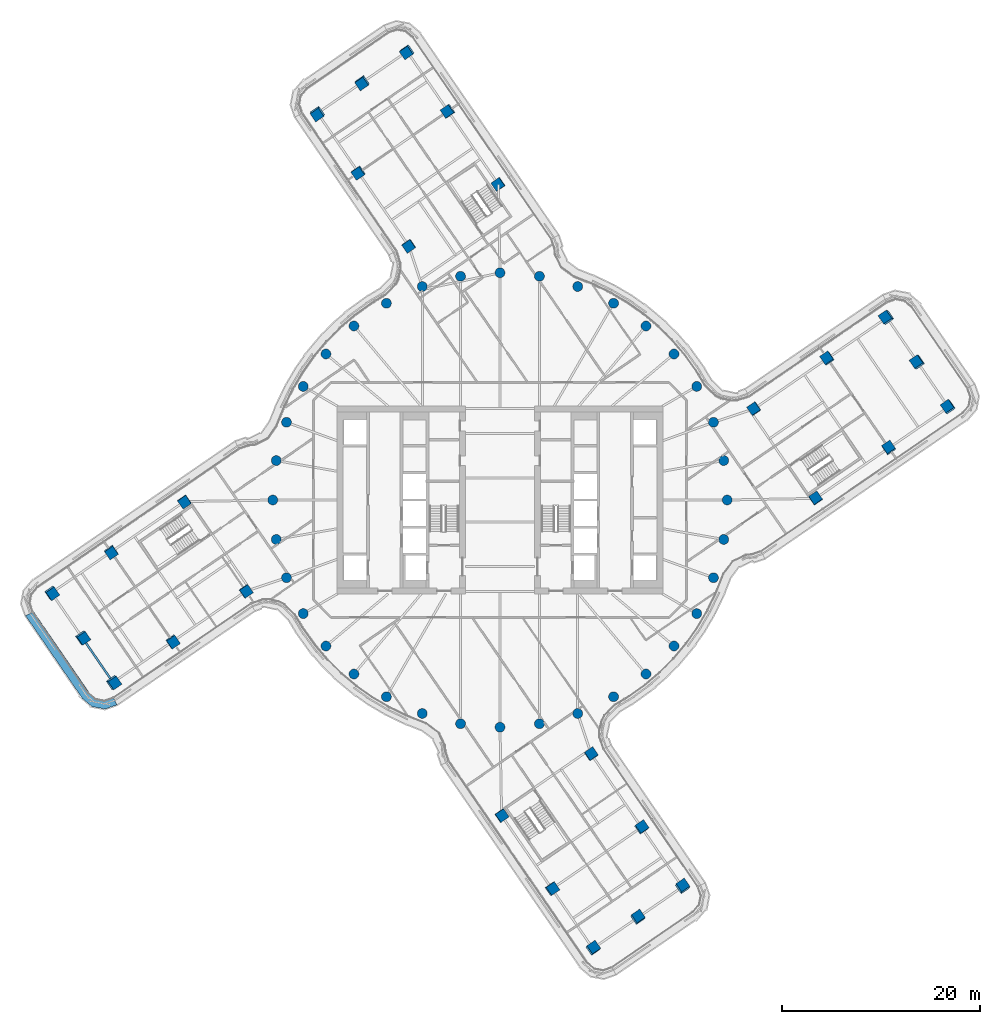
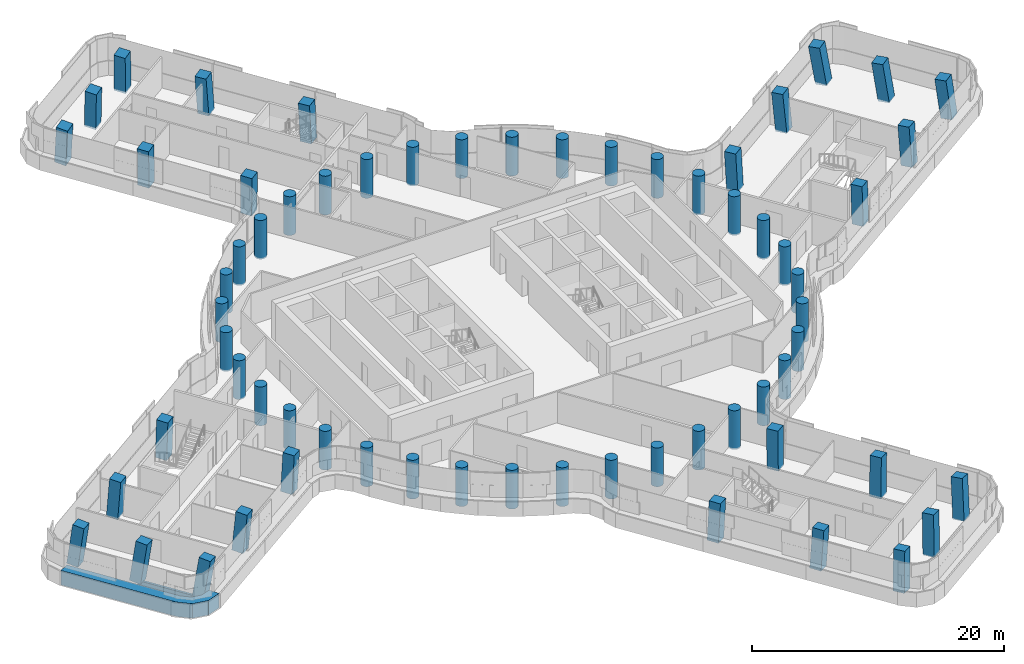
# One storey, part 1 of 33: 64 columns, 1 beam, 1 member, 1 element without a shape of its own.
"""IFC4 building model written with IfcOpenShell, lengths in metres."""

from ifc_helpers import new_model, si_unit, direction, frame, origin, origin_2d, place, context, subcontext, project, spatial, polyline, rectangle, circle, i_section, outline, extrude, material, layer, layer_set, material_profile, profile_set, type_object, element, aggregate, save


model = new_model("IFC4")

# Units and contexts
model_context = context("Model", 3, precision=1e-05, world=origin(), true_north=direction((0.0, 1.0)))
body_context = subcontext(model_context, "Body", "Model", "MODEL_VIEW")
ifc_project = project(units=[si_unit("LENGTHUNIT", "METRE"), si_unit("AREAUNIT", "SQUARE_METRE"), si_unit("VOLUMEUNIT", "CUBIC_METRE"), si_unit("PLANEANGLEUNIT", "RADIAN"), si_unit("MASSUNIT", "GRAM", prefix="KILO")], contexts=[model_context])

# Site, building, storey
site_placement = place(None, origin())
site = spatial("IfcSite", under=ifc_project, at=site_placement, CompositionType="ELEMENT")
building_placement = place(site_placement, origin())
building = spatial("IfcBuilding", under=site, at=building_placement, Name="Tamarind Cross Interchange Tower", CompositionType="ELEMENT")
storey_placement = place(building_placement, frame((0.0, 0.0, 159.25)))
storey = spatial("IfcBuildingStorey", under=building, at=storey_placement, Name="L39", CompositionType="ELEMENT", Elevation=159.25)

# Columns
ifc_material_1 = material(Name="Concrete C60", Category="concrete")
ifc_material_profile_1 = material_profile(ifc_material_1, rectangle(XDim=1.0, YDim=1.0, at=origin_2d()), Name="RC 1000x1000")
ifc_profile_set_1 = profile_set([ifc_material_profile_1], Name="Concrete C60")
column_type_1 = type_object("IfcColumnType", Name="Column RC 1000x1000 Concrete C60", PredefinedType="COLUMN", material=ifc_profile_set_1)
for number, where, z_axis, x_axis, name in (
    (1, (33.1474609375, 14.327392578125, -0.138427734375), (-0.069904708253, 0.05335345421, 0.996125865886), (0.563323814814, -0.822000079899, 0.083559250292), "Column L39-036"),
    (2, (39.37451171875, 5.259765625, -0.138427734375), (-0.026222409224, 0.083924690908, 0.996127015752), (-0.824806458634, -0.564822823798, 0.02587437948), "Column L39-037"),
):
    element("IfcColumn", number, at=place(storey_placement, frame(where, z_axis=z_axis, x_axis=x_axis)), inside=storey, type_object=column_type_1, Name=name, PredefinedType="COLUMN", context=body_context, shape_type="SweptSolid", body=[
        extrude(rectangle(XDim=1.0, YDim=1.0, at=origin_2d()), origin(), (0.0, 0.0, 1.0), 3.761474609375),
    ])
for number, where, z_axis, x_axis, name in (
    (3, (25.728515625, 9.232421875, -0.138671875), (-0.045031564951, 0.017700268305, 0.998828743409), (0.565346981638, -0.82387846187, 0.040088282815), "Column L39-038"),
    (4, (31.95556640625, 0.164794921875, -0.138671875), (-0.001236416947, 0.048350410099, 0.998829669722), (-0.824410110548, -0.565379307038, 0.026347842402), "Column L39-039"),
):
    element("IfcColumn", number, at=place(storey_placement, frame(where, z_axis=z_axis, x_axis=x_axis)), inside=storey, type_object=column_type_1, Name=name, PredefinedType="COLUMN", context=body_context, shape_type="SweptSolid", body=[
        extrude(rectangle(XDim=1.0, YDim=1.0, at=origin_2d()), origin(), (0.0, 0.0, 1.0), 3.751708984375),
    ])
column_1_placement = place(storey_placement, frame((45.405517578125, 9.401611328125, -0.136474609375), z_axis=(-0.104964913326, 0.070688016183, 0.991960468637), x_axis=(0.559867072052, -0.820181701315, 0.117689585179)))
element("IfcColumn", 5, at=column_1_placement, inside=storey, type_object=column_type_1, Name="Column L39-040", PredefinedType="COLUMN", context=body_context, shape_type="SweptSolid", body=[
    extrude(rectangle(XDim=1.0, YDim=1.0, at=origin_2d()), origin(), (0.0, 0.0, 1.0), 3.77490234375),
])
column_2_placement = place(storey_placement, frame((42.291748046875, 13.935302734375, -0.136474609375), z_axis=(-0.126442765759, 0.055407504097, 0.990425280108), x_axis=(0.558333982979, -0.821292490373, 0.117225461004)))
element("IfcColumn", 6, at=column_2_placement, inside=storey, type_object=column_type_1, Name="Column L39-041", PredefinedType="COLUMN", context=body_context, shape_type="SweptSolid", body=[
    extrude(rectangle(XDim=1.0, YDim=1.0, at=origin_2d()), origin(), (0.0, 0.0, 1.0), 3.780517578125),
])
column_3_placement = place(storey_placement, frame((39.17822265625, 18.46923828125, -0.13623046875), z_axis=(-0.147880954523, 0.040079282664, 0.988192731399), x_axis=(0.557477710544, -0.821939960691, 0.116761737171)))
element("IfcColumn", 7, at=column_3_placement, inside=storey, type_object=column_type_1, Name="Column L39-042", PredefinedType="COLUMN", context=body_context, shape_type="SweptSolid", body=[
    extrude(rectangle(XDim=1.0, YDim=1.0, at=origin_2d()), origin(), (0.0, 0.0, 1.0), 3.788818359375),
])
for number, where, z_axis, x_axis, name in (
    (8, (-14.327392578125, 33.1474609375, -0.138427734375), (-0.05335345421, -0.069904708253, 0.996125865886), (0.822000079899, 0.563323814814, 0.083559250292), "Column L39-043"),
    (9, (-5.259765625, 39.37451171875, -0.138427734375), (-0.083924690908, -0.026222409224, 0.996127015752), (0.564822823798, -0.824806458634, 0.02587437948), "Column L39-044"),
):
    element("IfcColumn", number, at=place(storey_placement, frame(where, z_axis=z_axis, x_axis=x_axis)), inside=storey, type_object=column_type_1, Name=name, PredefinedType="COLUMN", context=body_context, shape_type="SweptSolid", body=[
        extrude(rectangle(XDim=1.0, YDim=1.0, at=origin_2d()), origin(), (0.0, 0.0, 1.0), 3.761474609375),
    ])
for number, where, z_axis, x_axis, name in (
    (10, (-9.232421875, 25.728515625, -0.138671875), (-0.017700268305, -0.045031564951, 0.998828743409), (0.82387846187, 0.565346981638, 0.040088282815), "Column L39-045"),
    (11, (-0.164794921875, 31.95556640625, -0.138671875), (-0.048350410099, -0.001236416947, 0.998829669722), (0.565379307038, -0.824410110548, 0.026347842402), "Column L39-046"),
):
    element("IfcColumn", number, at=place(storey_placement, frame(where, z_axis=z_axis, x_axis=x_axis)), inside=storey, type_object=column_type_1, Name=name, PredefinedType="COLUMN", context=body_context, shape_type="SweptSolid", body=[
        extrude(rectangle(XDim=1.0, YDim=1.0, at=origin_2d()), origin(), (0.0, 0.0, 1.0), 3.751708984375),
    ])
column_4_placement = place(storey_placement, frame((-9.401611328125, 45.405517578125, -0.136474609375), z_axis=(-0.070688016183, -0.104964913326, 0.991960468637), x_axis=(0.820181701315, 0.559867072052, 0.117689585179)))
element("IfcColumn", 12, at=column_4_placement, inside=storey, type_object=column_type_1, Name="Column L39-047", PredefinedType="COLUMN", context=body_context, shape_type="SweptSolid", body=[
    extrude(rectangle(XDim=1.0, YDim=1.0, at=origin_2d()), origin(), (0.0, 0.0, 1.0), 3.77490234375),
])
column_5_placement = place(storey_placement, frame((-13.935302734375, 42.291748046875, -0.136474609375), z_axis=(-0.055407504097, -0.126442765759, 0.990425280108), x_axis=(0.821292490373, 0.558333982979, 0.117225461004)))
element("IfcColumn", 13, at=column_5_placement, inside=storey, type_object=column_type_1, Name="Column L39-048", PredefinedType="COLUMN", context=body_context, shape_type="SweptSolid", body=[
    extrude(rectangle(XDim=1.0, YDim=1.0, at=origin_2d()), origin(), (0.0, 0.0, 1.0), 3.780517578125),
])
column_6_placement = place(storey_placement, frame((-18.46923828125, 39.17822265625, -0.13623046875), z_axis=(-0.040079282664, -0.147880954523, 0.988192731399), x_axis=(0.821939960691, 0.557477710544, 0.116761737171)))
element("IfcColumn", 14, at=column_6_placement, inside=storey, type_object=column_type_1, Name="Column L39-049", PredefinedType="COLUMN", context=body_context, shape_type="SweptSolid", body=[
    extrude(rectangle(XDim=1.0, YDim=1.0, at=origin_2d()), origin(), (0.0, 0.0, 1.0), 3.788818359375),
])
for number, where, z_axis, x_axis, name in (
    (15, (-33.1474609375, -14.327392578125, -0.138427734375), (0.069904708253, -0.05335345421, 0.996125865886), (-0.563323814814, 0.822000079899, 0.083559250292), "Column L39-050"),
    (16, (-39.37451171875, -5.259765625, -0.138427734375), (0.026222409224, -0.083924690908, 0.996127015752), (0.824806458634, 0.564822823798, 0.02587437948), "Column L39-051"),
):
    element("IfcColumn", number, at=place(storey_placement, frame(where, z_axis=z_axis, x_axis=x_axis)), inside=storey, type_object=column_type_1, Name=name, PredefinedType="COLUMN", context=body_context, shape_type="SweptSolid", body=[
        extrude(rectangle(XDim=1.0, YDim=1.0, at=origin_2d()), origin(), (0.0, 0.0, 1.0), 3.761474609375),
    ])
for number, where, z_axis, x_axis, name in (
    (17, (-25.728515625, -9.232421875, -0.138671875), (0.045031564951, -0.017700268305, 0.998828743409), (-0.565346981638, 0.82387846187, 0.040088282815), "Column L39-052"),
    (18, (-31.95556640625, -0.164794921875, -0.138671875), (0.001236416947, -0.048350410099, 0.998829669722), (0.824410110548, 0.565379307038, 0.026347842402), "Column L39-053"),
):
    element("IfcColumn", number, at=place(storey_placement, frame(where, z_axis=z_axis, x_axis=x_axis)), inside=storey, type_object=column_type_1, Name=name, PredefinedType="COLUMN", context=body_context, shape_type="SweptSolid", body=[
        extrude(rectangle(XDim=1.0, YDim=1.0, at=origin_2d()), origin(), (0.0, 0.0, 1.0), 3.751708984375),
    ])
column_7_placement = place(storey_placement, frame((-45.405517578125, -9.401611328125, -0.136474609375), z_axis=(0.104964913326, -0.070688016183, 0.991960468637), x_axis=(-0.559867072052, 0.820181701315, 0.117689585179)))
element("IfcColumn", 19, at=column_7_placement, inside=storey, type_object=column_type_1, Name="Column L39-054", PredefinedType="COLUMN", context=body_context, shape_type="SweptSolid", body=[
    extrude(rectangle(XDim=1.0, YDim=1.0, at=origin_2d()), origin(), (0.0, 0.0, 1.0), 3.77490234375),
])
column_8_placement = place(storey_placement, frame((-42.291748046875, -13.935302734375, -0.136474609375), z_axis=(0.126442765759, -0.055407504097, 0.990425280108), x_axis=(-0.558333982979, 0.821292490373, 0.117225461004)))
element("IfcColumn", 20, at=column_8_placement, inside=storey, type_object=column_type_1, Name="Column L39-055", PredefinedType="COLUMN", context=body_context, shape_type="SweptSolid", body=[
    extrude(rectangle(XDim=1.0, YDim=1.0, at=origin_2d()), origin(), (0.0, 0.0, 1.0), 3.780517578125),
])
column_9_placement = place(storey_placement, frame((-39.17822265625, -18.46923828125, -0.13623046875), z_axis=(0.147880954523, -0.040079282664, 0.988192731399), x_axis=(-0.557477710544, 0.821939960691, 0.116761737171)))
element("IfcColumn", 21, at=column_9_placement, inside=storey, type_object=column_type_1, Name="Column L39-056", PredefinedType="COLUMN", context=body_context, shape_type="SweptSolid", body=[
    extrude(rectangle(XDim=1.0, YDim=1.0, at=origin_2d()), origin(), (0.0, 0.0, 1.0), 3.788818359375),
])
for number, where, z_axis, x_axis, name in (
    (22, (14.327392578125, -33.1474609375, -0.138427734375), (0.05335345421, 0.069904708253, 0.996125865886), (-0.822000079899, -0.563323814814, 0.083559250292), "Column L39-057"),
    (23, (5.259765625, -39.37451171875, -0.138427734375), (0.083924690908, 0.026222409224, 0.996127015752), (-0.564822823798, 0.824806458634, 0.02587437948), "Column L39-058"),
):
    element("IfcColumn", number, at=place(storey_placement, frame(where, z_axis=z_axis, x_axis=x_axis)), inside=storey, type_object=column_type_1, Name=name, PredefinedType="COLUMN", context=body_context, shape_type="SweptSolid", body=[
        extrude(rectangle(XDim=1.0, YDim=1.0, at=origin_2d()), origin(), (0.0, 0.0, 1.0), 3.761474609375),
    ])
for number, where, z_axis, x_axis, name in (
    (24, (9.232421875, -25.728515625, -0.138671875), (0.017700268305, 0.045031564951, 0.998828743409), (-0.82387846187, -0.565346981638, 0.040088282815), "Column L39-059"),
    (25, (0.164794921875, -31.95556640625, -0.138671875), (0.048350410099, 0.001236416947, 0.998829669722), (-0.565379307038, 0.824410110548, 0.026347842402), "Column L39-060"),
):
    element("IfcColumn", number, at=place(storey_placement, frame(where, z_axis=z_axis, x_axis=x_axis)), inside=storey, type_object=column_type_1, Name=name, PredefinedType="COLUMN", context=body_context, shape_type="SweptSolid", body=[
        extrude(rectangle(XDim=1.0, YDim=1.0, at=origin_2d()), origin(), (0.0, 0.0, 1.0), 3.751708984375),
    ])
column_10_placement = place(storey_placement, frame((9.401611328125, -45.405517578125, -0.136474609375), z_axis=(0.070688016183, 0.104964913326, 0.991960468637), x_axis=(-0.820181701315, -0.559867072052, 0.117689585179)))
element("IfcColumn", 26, at=column_10_placement, inside=storey, type_object=column_type_1, Name="Column L39-061", PredefinedType="COLUMN", context=body_context, shape_type="SweptSolid", body=[
    extrude(rectangle(XDim=1.0, YDim=1.0, at=origin_2d()), origin(), (0.0, 0.0, 1.0), 3.77490234375),
])
column_11_placement = place(storey_placement, frame((13.935302734375, -42.291748046875, -0.136474609375), z_axis=(0.055407504097, 0.126442765759, 0.990425280108), x_axis=(-0.821292490373, -0.558333982979, 0.117225461004)))
element("IfcColumn", 27, at=column_11_placement, inside=storey, type_object=column_type_1, Name="Column L39-062", PredefinedType="COLUMN", context=body_context, shape_type="SweptSolid", body=[
    extrude(rectangle(XDim=1.0, YDim=1.0, at=origin_2d()), origin(), (0.0, 0.0, 1.0), 3.780517578125),
])
column_12_placement = place(storey_placement, frame((18.46923828125, -39.17822265625, -0.13623046875), z_axis=(0.040079282664, 0.147880954523, 0.988192731399), x_axis=(-0.821939960691, -0.557477710544, 0.116761737171)))
element("IfcColumn", 28, at=column_12_placement, inside=storey, type_object=column_type_1, Name="Column L39-063", PredefinedType="COLUMN", context=body_context, shape_type="SweptSolid", body=[
    extrude(rectangle(XDim=1.0, YDim=1.0, at=origin_2d()), origin(), (0.0, 0.0, 1.0), 3.788818359375),
])
ifc_material_profile_2 = material_profile(ifc_material_1, circle(Radius=0.5, at=origin_2d()), Name="RC D1000")
ifc_profile_set_2 = profile_set([ifc_material_profile_2], Name="Concrete C60")
column_type_2 = type_object("IfcColumnType", Name="Column RC D1000 Concrete C60", PredefinedType="COLUMN", material=ifc_profile_set_2)
for number, where, z_axis, x_axis, name in (
    (29, (23.0, 0.0, -0.139892578125), (0.0, 0.0, 1.0), (1.0, 0.0, 0.0), "Column L39-000"),
    (30, (22.650634765625, 3.993896484375, -0.139892578125), (0.0, 0.0, 1.0), (1.0, 0.0, 0.0), "Column L39-001"),
    (31, (21.613037109375, 7.866455078125, -0.139892578125), (0.0, 0.0, 1.0), (1.0, 0.0, 0.0), "Column L39-002"),
    (32, (19.918701171875, 11.5, -0.139892578125), (0.0, 0.0, 1.0), (1.0, 0.0, 0.0), "Column L39-003"),
    (33, (17.619140625, 14.7841796875, -0.139892578125), (0.0, 0.0, 1.0), (1.0, 0.0, 0.0), "Column L39-004"),
    (34, (14.7841796875, 17.619140625, -0.139892578125), (0.0, 0.0, 1.0), (1.0, 0.0, 0.0), "Column L39-005"),
    (35, (11.5, 19.918701171875, -0.139892578125), (0.0, 0.0, 1.0), (1.0, 0.0, 0.0), "Column L39-006"),
    (36, (7.866455078125, 21.613037109375, -0.139892578125), (0.0, 0.0, 1.0), (1.0, 0.0, 0.0), "Column L39-007"),
    (37, (3.993896484375, 22.650634765625, -0.139892578125), (0.0, 0.0, 1.0), (1.0, 0.0, 0.0), "Column L39-008"),
    (38, (0.0, 23.0, -0.139892578125), (0.0, 0.0, 1.0), (1.0, 0.0, 0.0), "Column L39-009"),
    (39, (-3.993896484375, 22.650634765625, -0.139892578125), (0.0, 0.0, 1.0), (1.0, 0.0, 0.0), "Column L39-010"),
    (40, (-7.866455078125, 21.613037109375, -0.139892578125), (0.0, 0.0, 1.0), (1.0, 0.0, 0.0), "Column L39-011"),
    (41, (-11.5, 19.918701171875, -0.139892578125), (0.0, 0.0, 1.0), (1.0, 0.0, 0.0), "Column L39-012"),
    (42, (-14.7841796875, 17.619140625, -0.139892578125), (0.0, 0.0, 1.0), (1.0, 0.0, 0.0), "Column L39-013"),
    (43, (-17.619140625, 14.7841796875, -0.139892578125), (0.0, 0.0, 1.0), (1.0, 0.0, 0.0), "Column L39-014"),
    (44, (-19.918701171875, 11.5, -0.139892578125), (0.0, 0.0, 1.0), (1.0, 0.0, 0.0), "Column L39-015"),
    (45, (-21.613037109375, 7.866455078125, -0.139892578125), (0.0, 0.0, 1.0), (1.0, 0.0, 0.0), "Column L39-016"),
    (46, (-22.650634765625, 3.993896484375, -0.139892578125), (0.0, 0.0, 1.0), (1.0, 0.0, 0.0), "Column L39-017"),
    (47, (-23.0, 0.0, -0.139892578125), (0.0, 0.0, 1.0), (1.0, 0.0, 0.0), "Column L39-018"),
    (48, (-22.650634765625, -3.993896484375, -0.139892578125), (0.0, 0.0, 1.0), (1.0, 0.0, 0.0), "Column L39-019"),
    (49, (-21.613037109375, -7.866455078125, -0.139892578125), (0.0, 0.0, 1.0), (1.0, 0.0, 0.0), "Column L39-020"),
    (50, (-19.918701171875, -11.5, -0.139892578125), (0.0, 0.0, 1.0), (1.0, 0.0, 0.0), "Column L39-021"),
    (51, (-17.619140625, -14.7841796875, -0.139892578125), (0.0, 0.0, 1.0), (1.0, 0.0, 0.0), "Column L39-022"),
    (52, (-14.7841796875, -17.619140625, -0.139892578125), (0.0, 0.0, 1.0), (1.0, 0.0, 0.0), "Column L39-023"),
    (53, (-11.5, -19.918701171875, -0.139892578125), (0.0, 0.0, 1.0), (1.0, 0.0, 0.0), "Column L39-024"),
    (54, (-7.866455078125, -21.613037109375, -0.139892578125), (0.0, 0.0, 1.0), (1.0, 0.0, 0.0), "Column L39-025"),
    (55, (-3.993896484375, -22.650634765625, -0.139892578125), (0.0, 0.0, 1.0), (1.0, 0.0, 0.0), "Column L39-026"),
    (56, (0.0, -23.0, -0.139892578125), (0.0, 0.0, 1.0), (1.0, 0.0, 0.0), "Column L39-027"),
    (57, (3.993896484375, -22.650634765625, -0.139892578125), (0.0, 0.0, 1.0), (1.0, 0.0, 0.0), "Column L39-028"),
    (58, (7.866455078125, -21.613037109375, -0.139892578125), (0.0, 0.0, 1.0), (1.0, 0.0, 0.0), "Column L39-029"),
    (59, (11.5, -19.918701171875, -0.139892578125), (0.0, 0.0, 1.0), (1.0, 0.0, 0.0), "Column L39-030"),
    (60, (14.7841796875, -17.619140625, -0.139892578125), (0.0, 0.0, 1.0), (1.0, 0.0, 0.0), "Column L39-031"),
    (61, (17.619140625, -14.7841796875, -0.139892578125), (0.0, 0.0, 1.0), (1.0, 0.0, 0.0), "Column L39-032"),
    (62, (19.918701171875, -11.5, -0.139892578125), (0.0, 0.0, 1.0), (1.0, 0.0, 0.0), "Column L39-033"),
    (63, (21.613037109375, -7.866455078125, -0.139892578125), (0.0, 0.0, 1.0), (1.0, 0.0, 0.0), "Column L39-034"),
    (64, (22.650634765625, -3.993896484375, -0.139892578125), (0.0, 0.0, 1.0), (1.0, 0.0, 0.0), "Column L39-035"),
):
    element("IfcColumn", number, at=place(storey_placement, frame(where, z_axis=z_axis, x_axis=x_axis)), inside=storey, type_object=column_type_2, Name=name, PredefinedType="COLUMN", context=body_context, shape_type="SweptSolid", body=[
        extrude(circle(Radius=0.5, at=origin_2d()), origin(), (0.0, 0.0, 1.0), 3.75),
    ])

# Beam
ifc_material_2 = material(Name="Steel Q355B", Category="steel")
ifc_material_profile_3 = material_profile(ifc_material_2, i_section(OverallWidth=0.199951171875, OverallDepth=0.60009765625, WebThickness=0.010986328125, FlangeThickness=0.01708984375, FilletRadius=0.012939453125, at=origin_2d()), Name="HN 600x200x11x17")
ifc_profile_set_3 = profile_set([ifc_material_profile_3], Name="Steel Q355B")
beam_type = type_object("IfcBeamType", Name="Composite beam HN 600x200x11x17 Q355B", PredefinedType="BEAM", material=ifc_profile_set_3)
beam_placement = place(storey_placement, frame((-42.292236328125, -13.935302734375, -0.43994140625), z_axis=(0.566110514828, -0.824329354689, 0.0), x_axis=(0.824329354689, 0.566110514828, 0.0)))
element("IfcBeam", 65, at=beam_placement, inside=storey, type_object=beam_type, Name="Beam W-tip1", PredefinedType="BEAM", context=body_context, shape_type="SweptSolid", body=[
    extrude(i_section(OverallWidth=0.199951171875, OverallDepth=0.60009765625, WebThickness=0.010986328125, FlangeThickness=0.01708984375, FilletRadius=0.012939453125, at=origin_2d()), origin(), (0.0, 0.0, 1.0), 5.499755859375),
])

# Curtain wall, member
ifc_material_3 = material(Name="Aluminium 6063-T6", Category="aluminium")
ifc_layer = layer(ifc_material_3, 0.159912109375)
ifc_layer_set = layer_set([ifc_layer], Name="Aluminium 6063-T6")
curtain_wall_type = type_object("IfcCurtainWallType", Name="Office curtain wall, 9.0 m bays", PredefinedType="NOTDEFINED", material=ifc_layer_set)
curtain_wall_placement = place(storey_placement, origin())
curtain_wall = element("IfcCurtainWall", 66, at=curtain_wall_placement, inside=storey, type_object=curtain_wall_type, Name="CWS-L39-00", PredefinedType="NOTDEFINED")
ifc_material_4 = material(Name="Aluminium and insulated spandrel panel", Category="aluminium")
member_type = type_object("IfcMemberType", Name="Floor-edge blade transom", PredefinedType="USERDEFINED", material=ifc_material_4)
member_placement = place(storey_placement, origin())
member = element("IfcMember", 67, at=member_placement, type_object=member_type, Name="CWT-L39-00", ObjectType="TRANSOM", PredefinedType="USERDEFINED", context=body_context, shape_type="SweptSolid", body=[
    extrude(outline(polyline([(-47.22509765625, -11.30517578125), (-41.60888671875, -19.4833984375), (-40.9130859375, -20.078125), (-40.05322265625, -20.238037109375), (-39.18994140625, -19.9326171875), (-38.779052734375, -20.741943359375), (-39.98046875, -21.166748046875), (-41.314453125, -20.919189453125), (-42.28369140625, -20.090576171875), (-48.0341796875, -11.717041015625), (-47.22509765625, -11.30517578125)])), origin(), (0.0, 0.0, 1.0), 1.39990234375),
])
aggregate(curtain_wall, [member])

save(model, "model.ifc")
